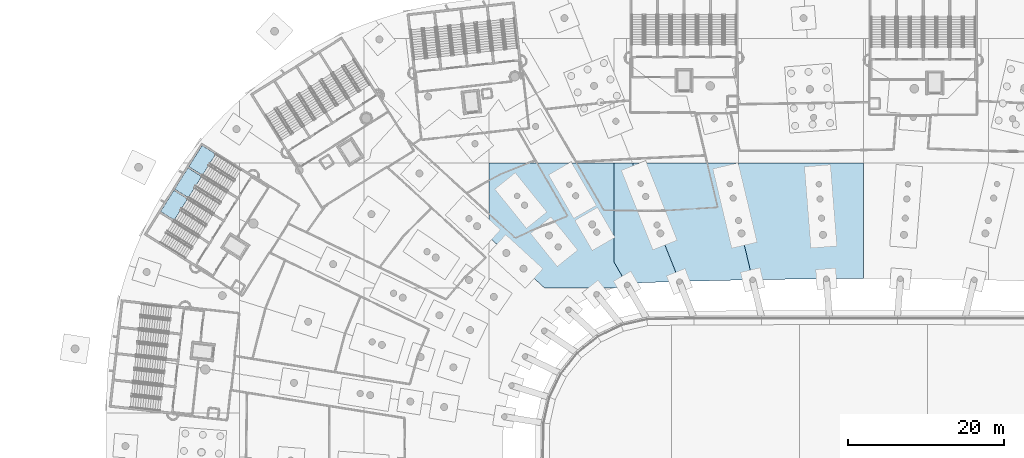
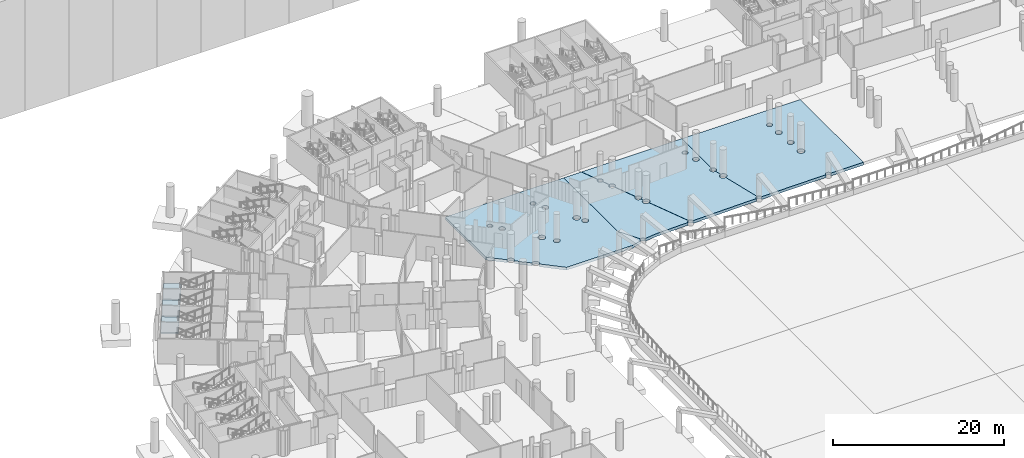
# One storey, part 28 of 142: 7 slabs, 3 elements without a shape of their own.
"""IFC4 building model written with IfcOpenShell, lengths in metres."""

from ifc_helpers import new_model, si_unit, direction, frame, origin, place, context, subcontext, project, spatial, polyline, outline, extrude, material, layer, layer_set, type_object, element, aggregate, save


model = new_model("IFC4")

# Units and contexts
model_context = context("Model", 3, precision=1e-05, world=origin(), true_north=direction((0.0, 1.0)))
body_context = subcontext(model_context, "Body", "Model", "MODEL_VIEW")
ifc_project = project(units=[si_unit("LENGTHUNIT", "METRE"), si_unit("AREAUNIT", "SQUARE_METRE"), si_unit("VOLUMEUNIT", "CUBIC_METRE"), si_unit("PLANEANGLEUNIT", "RADIAN"), si_unit("MASSUNIT", "GRAM", prefix="KILO")], contexts=[model_context])

# Site, building, storey
site_placement = place(None, origin())
site = spatial("IfcSite", under=ifc_project, at=site_placement, CompositionType="ELEMENT")
building_placement = place(site_placement, origin())
building = spatial("IfcBuilding", under=site, at=building_placement, Name="Meseta Stadium", CompositionType="ELEMENT")
storey_placement = place(building_placement, frame((0.0, 0.0, -4.0)))
storey = spatial("IfcBuildingStorey", under=building, at=storey_placement, Name="B1", CompositionType="ELEMENT", Elevation=-4.0)

# Slabs
ifc_material_1 = material(Name="Concrete C30/37", Category="concrete")
ifc_layer_1 = layer(ifc_material_1, 0.39990234375)
ifc_layer_set_1 = layer_set([ifc_layer_1], Name="Base slab 400")
slab_type_1 = type_object("IfcSlabType", Name="Base slab 400", PredefinedType="BASESLAB", material=ifc_layer_set_1)
slab_1_placement = place(storey_placement, frame((0.0, 0.0, -0.39990234375)))
element("IfcSlab", 1, at=slab_1_placement, inside=storey, type_object=slab_type_1, Name="Base slab B1 sector 14 panel 03", PredefinedType="BASESLAB", context=body_context, shape_type="SweptSolid", body=[
    extrude(outline(polyline([(-23.292236328125, 65.02880859375), (-23.259765625, 64.968017578125), (-23.23974609375, 64.902099609375), (-23.23388671875, 64.843017578125), (-22.0283203125, 64.876220703125), (-20.468994140625, 64.917236328125), (-18.90673828125, 64.956298828125), (-17.341796875, 64.992919921875), (-16.0, 65.022216796875), (-14.555419921875, 65.051513671875), (-14.55615234375, 65.05859375), (-14.54931640625, 65.127197265625), (-14.529296875, 65.193115234375), (-14.496826171875, 65.25390625), (-14.453125, 65.307373046875), (-14.39990234375, 65.35107421875), (-14.339111328125, 65.383544921875), (-14.28564453125, 65.399658203125), (-15.5166015625, 70.5703125), (-15.532958984375, 70.5654296875), (-15.62109375, 70.556640625), (-15.70947265625, 70.5654296875), (-15.794189453125, 70.591064453125), (-15.872314453125, 70.6328125), (-15.94091796875, 70.689208984375), (-15.9970703125, 70.757568359375), (-16.038818359375, 70.835693359375), (-16.064697265625, 70.920654296875), (-16.0732421875, 71.0087890625), (-16.064697265625, 71.09716796875), (-16.038818359375, 71.181884765625), (-15.9970703125, 71.260009765625), (-15.94091796875, 71.32861328125), (-15.872314453125, 71.384765625), (-15.794189453125, 71.426513671875), (-15.7255859375, 71.447509765625), (-15.918212890625, 72.256591796875), (-15.9326171875, 72.252197265625), (-16.010986328125, 72.244384765625), (-16.089599609375, 72.252197265625), (-16.164794921875, 72.275146484375), (-16.234375, 72.312255859375), (-16.29541015625, 72.3623046875), (-16.34521484375, 72.423095703125), (-16.38232421875, 72.49267578125), (-16.4052734375, 72.568115234375), (-16.4130859375, 72.646484375), (-16.4052734375, 72.724853515625), (-16.38232421875, 72.80029296875), (-16.34521484375, 72.869873046875), (-16.29541015625, 72.9306640625), (-16.234375, 72.980712890625), (-16.164794921875, 73.017822265625), (-16.089599609375, 73.040771484375), (-16.010986328125, 73.04833984375), (-16.0, 73.04736328125), (-16.0, 80.0), (-29.59228515625, 80.0), (-28.684814453125, 77.712646484375), (-28.63330078125, 77.72802734375), (-28.564697265625, 77.73486328125), (-28.49609375, 77.72802734375), (-28.43017578125, 77.7080078125), (-28.369384765625, 77.675537109375), (-28.316162109375, 77.6318359375), (-28.272216796875, 77.57861328125), (-28.23974609375, 77.517822265625), (-28.2197265625, 77.451904296875), (-28.213134765625, 77.38330078125), (-28.2197265625, 77.314697265625), (-28.23974609375, 77.24853515625), (-28.272216796875, 77.187744140625), (-28.316162109375, 77.134521484375), (-28.369384765625, 77.0908203125), (-28.426025390625, 77.060546875), (-28.04931640625, 76.111572265625), (-27.989501953125, 76.1298828125), (-27.910888671875, 76.1376953125), (-27.83251953125, 76.1298828125), (-27.757080078125, 76.10693359375), (-27.687744140625, 76.06982421875), (-27.626708984375, 76.019775390625), (-27.576904296875, 75.958984375), (-27.53955078125, 75.889404296875), (-27.5166015625, 75.81396484375), (-27.509033203125, 75.735595703125), (-27.5166015625, 75.6572265625), (-27.53955078125, 75.581787109375), (-27.576904296875, 75.51220703125), (-27.626708984375, 75.451416015625), (-27.687744140625, 75.4013671875), (-27.753662109375, 75.3662109375), (-26.60009765625, 72.45947265625), (-26.5400390625, 72.4775390625), (-26.461669921875, 72.4853515625), (-26.38330078125, 72.4775390625), (-26.307861328125, 72.45458984375), (-26.23828125, 72.41748046875), (-26.177490234375, 72.36767578125), (-26.12744140625, 72.306640625), (-26.09033203125, 72.2373046875), (-26.0673828125, 72.161865234375), (-26.059814453125, 72.08349609375), (-26.0673828125, 72.0048828125), (-26.09033203125, 71.9296875), (-26.12744140625, 71.860107421875), (-26.177490234375, 71.79931640625), (-26.23828125, 71.749267578125), (-26.30419921875, 71.7138671875), (-26.1943359375, 71.43701171875), (-26.125732421875, 71.4580078125), (-26.03759765625, 71.466552734375), (-25.94921875, 71.4580078125), (-25.864501953125, 71.43212890625), (-25.786376953125, 71.390380859375), (-25.7177734375, 71.334228515625), (-25.66162109375, 71.265625), (-25.61962890625, 71.1875), (-25.593994140625, 71.102783203125), (-25.585205078125, 71.014404296875), (-25.593994140625, 70.92626953125), (-25.61962890625, 70.84130859375), (-25.66162109375, 70.76318359375), (-25.7177734375, 70.694580078125), (-25.786376953125, 70.638427734375), (-25.861572265625, 70.59814453125), (-23.70458984375, 65.16259765625), (-23.6533203125, 65.17822265625), (-23.584716796875, 65.18505859375), (-23.51611328125, 65.17822265625), (-23.4501953125, 65.158203125), (-23.389404296875, 65.125732421875), (-23.3359375, 65.08203125), (-23.292236328125, 65.02880859375)]), holes=[polyline([(-17.419189453125, 77.527587890625), (-17.37548828125, 77.580810546875), (-17.322021484375, 77.62451171875), (-17.26123046875, 77.656982421875), (-17.1953125, 77.677001953125), (-17.126708984375, 77.683837890625), (-17.05810546875, 77.677001953125), (-16.9921875, 77.656982421875), (-16.931396484375, 77.62451171875), (-16.8779296875, 77.580810546875), (-16.834228515625, 77.527587890625), (-16.8017578125, 77.466796875), (-16.78173828125, 77.400634765625), (-16.77490234375, 77.33203125), (-16.78173828125, 77.263427734375), (-16.8017578125, 77.197509765625), (-16.834228515625, 77.13671875), (-16.8779296875, 77.08349609375), (-16.931396484375, 77.039794921875), (-16.9921875, 77.007080078125), (-17.05810546875, 76.9873046875), (-17.126708984375, 76.98046875), (-17.1953125, 76.9873046875), (-17.26123046875, 77.007080078125), (-17.322021484375, 77.039794921875), (-17.37548828125, 77.08349609375), (-17.419189453125, 77.13671875), (-17.45166015625, 77.197509765625), (-17.4716796875, 77.263427734375), (-17.478515625, 77.33203125), (-17.4716796875, 77.400634765625), (-17.45166015625, 77.466796875), (-17.419189453125, 77.527587890625)]), polyline([(-17.03173828125, 75.752685546875), (-16.981689453125, 75.813720703125), (-16.9208984375, 75.863525390625), (-16.851318359375, 75.90087890625), (-16.77587890625, 75.923583984375), (-16.697509765625, 75.931396484375), (-16.619140625, 75.923583984375), (-16.543701171875, 75.90087890625), (-16.47412109375, 75.863525390625), (-16.413330078125, 75.813720703125), (-16.36328125, 75.752685546875), (-16.326171875, 75.683349609375), (-16.30322265625, 75.60791015625), (-16.295654296875, 75.529296875), (-16.30322265625, 75.450927734375), (-16.326171875, 75.37548828125), (-16.36328125, 75.30615234375), (-16.413330078125, 75.2451171875), (-16.47412109375, 75.1953125), (-16.543701171875, 75.158203125), (-16.619140625, 75.13525390625), (-16.697509765625, 75.12744140625), (-16.77587890625, 75.13525390625), (-16.851318359375, 75.158203125), (-16.9208984375, 75.1953125), (-16.981689453125, 75.2451171875), (-17.03173828125, 75.30615234375), (-17.06884765625, 75.37548828125), (-17.091796875, 75.450927734375), (-17.099365234375, 75.529296875), (-17.091796875, 75.60791015625), (-17.06884765625, 75.683349609375), (-17.03173828125, 75.752685546875)])]), origin(), (0.0, 0.0, 1.0), 0.39990234375),
])
slab_2_placement = place(storey_placement, frame((0.0, 0.0, -0.39990234375)))
element("IfcSlab", 2, at=slab_2_placement, inside=storey, type_object=slab_type_1, Name="Base slab B1 sector 14 panel 06", PredefinedType="BASESLAB", context=body_context, shape_type="SweptSolid", body=[
    extrude(outline(polyline([(-4.993408203125, 65.432373046875), (-4.940185546875, 65.47607421875), (-4.87939453125, 65.508544921875), (-4.8134765625, 65.528564453125), (-4.7724609375, 65.53271484375), (-4.74462890625, 65.535400390625), (-4.676025390625, 65.528564453125), (-4.610107421875, 65.508544921875), (-4.54931640625, 65.47607421875), (-4.49609375, 65.432373046875), (-4.452392578125, 65.379150390625), (-4.419921875, 65.318359375), (-4.39990234375, 65.252197265625), (-4.393310546875, 65.185791015625), (-3.16357421875, 65.192626953125), (-1.58203125, 65.1982421875), (0.0, 65.199951171875), (0.0, 80.0), (-16.0, 80.0), (-16.0, 73.04736328125), (-15.9326171875, 73.040771484375), (-15.857421875, 73.017822265625), (-15.787841796875, 72.980712890625), (-15.726806640625, 72.9306640625), (-15.677001953125, 72.869873046875), (-15.6396484375, 72.80029296875), (-15.616943359375, 72.724853515625), (-15.609130859375, 72.646484375), (-15.616943359375, 72.568115234375), (-15.6396484375, 72.49267578125), (-15.677001953125, 72.423095703125), (-15.726806640625, 72.3623046875), (-15.787841796875, 72.312255859375), (-15.857421875, 72.275146484375), (-15.918212890625, 72.256591796875), (-15.7255859375, 71.447509765625), (-15.70947265625, 71.452392578125), (-15.62109375, 71.4609375), (-15.532958984375, 71.452392578125), (-15.447998046875, 71.426513671875), (-15.369873046875, 71.384765625), (-15.301513671875, 71.32861328125), (-15.2451171875, 71.260009765625), (-15.203369140625, 71.181884765625), (-15.177734375, 71.09716796875), (-15.1689453125, 71.0087890625), (-15.177734375, 70.920654296875), (-15.203369140625, 70.835693359375), (-15.2451171875, 70.757568359375), (-15.301513671875, 70.689208984375), (-15.369873046875, 70.6328125), (-15.447998046875, 70.591064453125), (-15.5166015625, 70.5703125), (-14.28564453125, 65.399658203125), (-14.27294921875, 65.403564453125), (-14.204345703125, 65.410400390625), (-14.1357421875, 65.403564453125), (-14.06982421875, 65.383544921875), (-14.009033203125, 65.35107421875), (-13.955810546875, 65.307373046875), (-13.912109375, 65.25390625), (-13.87939453125, 65.193115234375), (-13.859619140625, 65.127197265625), (-13.853515625, 65.06494140625), (-12.632080078125, 65.08740234375), (-11.05810546875, 65.113037109375), (-9.48193359375, 65.1357421875), (-7.904052734375, 65.155029296875), (-6.324951171875, 65.171142578125), (-5.09619140625, 65.180908203125), (-5.089599609375, 65.252197265625), (-5.069580078125, 65.318359375), (-5.037109375, 65.379150390625), (-4.993408203125, 65.432373046875)]), holes=[polyline([(-5.84130859375, 77.628662109375), (-5.775390625, 77.648681640625), (-5.70654296875, 77.655517578125), (-5.637939453125, 77.648681640625), (-5.572021484375, 77.628662109375), (-5.51123046875, 77.59619140625), (-5.4580078125, 77.552490234375), (-5.414306640625, 77.4990234375), (-5.381591796875, 77.438232421875), (-5.36181640625, 77.372314453125), (-5.35498046875, 77.3037109375), (-5.36181640625, 77.235107421875), (-5.381591796875, 77.169189453125), (-5.414306640625, 77.1083984375), (-5.4580078125, 77.054931640625), (-5.51123046875, 77.01123046875), (-5.572021484375, 76.978759765625), (-5.637939453125, 76.958740234375), (-5.70654296875, 76.951904296875), (-5.775390625, 76.958740234375), (-5.84130859375, 76.978759765625), (-5.902099609375, 77.01123046875), (-5.955322265625, 77.054931640625), (-5.9990234375, 77.1083984375), (-6.031494140625, 77.169189453125), (-6.051513671875, 77.235107421875), (-6.058349609375, 77.3037109375), (-6.051513671875, 77.372314453125), (-6.031494140625, 77.438232421875), (-5.9990234375, 77.4990234375), (-5.955322265625, 77.552490234375), (-5.902099609375, 77.59619140625), (-5.84130859375, 77.628662109375)]), polyline([(-5.710693359375, 75.786376953125), (-5.63525390625, 75.80908203125), (-5.556640625, 75.81689453125), (-5.478271484375, 75.80908203125), (-5.40283203125, 75.786376953125), (-5.33349609375, 75.7490234375), (-5.2724609375, 75.69921875), (-5.222412109375, 75.63818359375), (-5.185302734375, 75.568603515625), (-5.16259765625, 75.493408203125), (-5.15478515625, 75.414794921875), (-5.16259765625, 75.33642578125), (-5.185302734375, 75.260986328125), (-5.222412109375, 75.191650390625), (-5.2724609375, 75.130615234375), (-5.33349609375, 75.080810546875), (-5.40283203125, 75.043701171875), (-5.478271484375, 75.020751953125), (-5.556640625, 75.012939453125), (-5.63525390625, 75.020751953125), (-5.710693359375, 75.043701171875), (-5.780029296875, 75.080810546875), (-5.841064453125, 75.130615234375), (-5.890869140625, 75.191650390625), (-5.927978515625, 75.260986328125), (-5.950927734375, 75.33642578125), (-5.958740234375, 75.414794921875), (-5.950927734375, 75.493408203125), (-5.927978515625, 75.568603515625), (-5.890869140625, 75.63818359375), (-5.841064453125, 75.69921875), (-5.780029296875, 75.7490234375), (-5.710693359375, 75.786376953125)]), polyline([(-5.515625, 73.33056640625), (-5.440185546875, 73.353515625), (-5.36181640625, 73.361083984375), (-5.283447265625, 73.353515625), (-5.2080078125, 73.33056640625), (-5.138427734375, 73.29345703125), (-5.07763671875, 73.243408203125), (-5.027587890625, 73.1826171875), (-4.990478515625, 73.113037109375), (-4.967529296875, 73.03759765625), (-4.9599609375, 72.959228515625), (-4.967529296875, 72.880859375), (-4.990478515625, 72.805419921875), (-5.027587890625, 72.73583984375), (-5.07763671875, 72.675048828125), (-5.138427734375, 72.625), (-5.2080078125, 72.587890625), (-5.283447265625, 72.56494140625), (-5.36181640625, 72.557373046875), (-5.440185546875, 72.56494140625), (-5.515625, 72.587890625), (-5.585205078125, 72.625), (-5.64599609375, 72.675048828125), (-5.696044921875, 72.73583984375), (-5.733154296875, 72.805419921875), (-5.756103515625, 72.880859375), (-5.763916015625, 72.959228515625), (-5.756103515625, 73.03759765625), (-5.733154296875, 73.113037109375), (-5.696044921875, 73.1826171875), (-5.64599609375, 73.243408203125), (-5.585205078125, 73.29345703125), (-5.515625, 73.33056640625)]), polyline([(-5.365478515625, 71.24169921875), (-5.280517578125, 71.267578125), (-5.1923828125, 71.2763671875), (-5.104248046875, 71.267578125), (-5.019287109375, 71.24169921875), (-4.941162109375, 71.199951171875), (-4.87255859375, 71.143798828125), (-4.81640625, 71.0751953125), (-4.774658203125, 70.9970703125), (-4.748779296875, 70.912353515625), (-4.740234375, 70.82421875), (-4.748779296875, 70.73583984375), (-4.774658203125, 70.65087890625), (-4.81640625, 70.572998046875), (-4.87255859375, 70.50439453125), (-4.941162109375, 70.447998046875), (-5.019287109375, 70.40625), (-5.104248046875, 70.380615234375), (-5.1923828125, 70.371826171875), (-5.280517578125, 70.380615234375), (-5.365478515625, 70.40625), (-5.443603515625, 70.447998046875), (-5.51220703125, 70.50439453125), (-5.568359375, 70.572998046875), (-5.610107421875, 70.65087890625), (-5.635986328125, 70.73583984375), (-5.64453125, 70.82421875), (-5.635986328125, 70.912353515625), (-5.610107421875, 70.9970703125), (-5.568359375, 71.0751953125), (-5.51220703125, 71.143798828125), (-5.443603515625, 71.199951171875), (-5.365478515625, 71.24169921875)])]), origin(), (0.0, 0.0, 1.0), 0.39990234375),
])
slab_3_placement = place(storey_placement, frame((0.0, 0.0, -0.39990234375)))
element("IfcSlab", 3, at=slab_3_placement, inside=storey, type_object=slab_type_1, Name="Base slab B1 sector 21 panel 15", PredefinedType="BASESLAB", context=body_context, shape_type="SweptSolid", body=[
    extrude(outline(polyline([(-40.861572265625, 64.0), (-32.0, 64.0), (-32.0, 63.990234375), (-31.62255859375, 64.098388671875), (-30.955078125, 64.264892578125), (-30.62548828125, 64.334716796875), (-30.626708984375, 64.339111328125), (-30.63330078125, 64.40771484375), (-30.626708984375, 64.476318359375), (-30.606689453125, 64.542236328125), (-30.57421875, 64.60302734375), (-30.530517578125, 64.656494140625), (-30.47705078125, 64.7001953125), (-30.45703125, 64.7109375), (-32.0, 67.38037109375), (-32.0, 80.0), (-48.0, 80.0), (-48.0, 70.53466796875), (-46.109619140625, 68.80419921875), (-46.096923828125, 68.819580078125), (-46.0283203125, 68.875732421875), (-45.9501953125, 68.91748046875), (-45.865234375, 68.943359375), (-45.777099609375, 68.951904296875), (-45.68896484375, 68.943359375), (-45.60400390625, 68.91748046875), (-45.52587890625, 68.875732421875), (-45.45751953125, 68.819580078125), (-45.401123046875, 68.7509765625), (-45.359375, 68.6728515625), (-45.33349609375, 68.587890625), (-45.324951171875, 68.499755859375), (-45.33349609375, 68.41162109375), (-45.359375, 68.326904296875), (-45.401123046875, 68.24853515625), (-45.444580078125, 68.195556640625), (-43.90185546875, 66.783203125), (-43.88916015625, 66.798583984375), (-43.820556640625, 66.854736328125), (-43.742431640625, 66.896484375), (-43.65771484375, 66.92236328125), (-43.5693359375, 66.930908203125), (-43.481201171875, 66.92236328125), (-43.396484375, 66.896484375), (-43.318115234375, 66.854736328125), (-43.249755859375, 66.798583984375), (-43.193359375, 66.72998046875), (-43.151611328125, 66.65185546875), (-43.1259765625, 66.56689453125), (-43.1171875, 66.478759765625), (-43.1259765625, 66.390625), (-43.151611328125, 66.305908203125), (-43.193359375, 66.2275390625), (-43.237060546875, 66.174560546875), (-40.861572265625, 64.0)]), holes=[polyline([(-38.0634765625, 77.26171875), (-38.056640625, 77.330322265625), (-38.03662109375, 77.396240234375), (-38.004150390625, 77.45703125), (-37.96044921875, 77.510498046875), (-37.906982421875, 77.55419921875), (-37.84619140625, 77.586669921875), (-37.7802734375, 77.606689453125), (-37.711669921875, 77.61328125), (-37.64306640625, 77.606689453125), (-37.5771484375, 77.586669921875), (-37.516357421875, 77.55419921875), (-37.462890625, 77.510498046875), (-37.419189453125, 77.45703125), (-37.38671875, 77.396240234375), (-37.36669921875, 77.330322265625), (-37.360107421875, 77.26171875), (-37.36669921875, 77.193115234375), (-37.38671875, 77.127197265625), (-37.419189453125, 77.06640625), (-37.462890625, 77.012939453125), (-37.516357421875, 76.96923828125), (-37.5771484375, 76.936767578125), (-37.64306640625, 76.916748046875), (-37.711669921875, 76.909912109375), (-37.7802734375, 76.916748046875), (-37.84619140625, 76.936767578125), (-37.906982421875, 76.96923828125), (-37.96044921875, 77.012939453125), (-38.004150390625, 77.06640625), (-38.03662109375, 77.127197265625), (-38.056640625, 77.193115234375), (-38.0634765625, 77.26171875)]), polyline([(-37.287841796875, 75.8330078125), (-37.280029296875, 75.911376953125), (-37.257080078125, 75.98681640625), (-37.22021484375, 76.05615234375), (-37.170166015625, 76.1171875), (-37.109130859375, 76.1669921875), (-37.039794921875, 76.204345703125), (-36.96435546875, 76.227294921875), (-36.885986328125, 76.23486328125), (-36.807373046875, 76.227294921875), (-36.73193359375, 76.204345703125), (-36.66259765625, 76.1669921875), (-36.601806640625, 76.1171875), (-36.5517578125, 76.05615234375), (-36.514404296875, 75.98681640625), (-36.49169921875, 75.911376953125), (-36.48388671875, 75.8330078125), (-36.49169921875, 75.75439453125), (-36.514404296875, 75.67919921875), (-36.5517578125, 75.609619140625), (-36.601806640625, 75.548583984375), (-36.66259765625, 75.498779296875), (-36.73193359375, 75.461669921875), (-36.807373046875, 75.438720703125), (-36.885986328125, 75.430908203125), (-36.96435546875, 75.438720703125), (-37.039794921875, 75.461669921875), (-37.109130859375, 75.498779296875), (-37.170166015625, 75.548583984375), (-37.22021484375, 75.609619140625), (-37.257080078125, 75.67919921875), (-37.280029296875, 75.75439453125), (-37.287841796875, 75.8330078125)]), polyline([(-35.212890625, 72.15625), (-35.2041015625, 72.24462890625), (-35.178466796875, 72.329345703125), (-35.13671875, 72.40771484375), (-35.080322265625, 72.47607421875), (-35.011962890625, 72.5322265625), (-34.93359375, 72.57421875), (-34.848876953125, 72.599853515625), (-34.7607421875, 72.6083984375), (-34.672607421875, 72.599853515625), (-34.587646484375, 72.57421875), (-34.509521484375, 72.5322265625), (-34.44091796875, 72.47607421875), (-34.384765625, 72.40771484375), (-34.343017578125, 72.329345703125), (-34.317138671875, 72.24462890625), (-34.30859375, 72.15625), (-34.317138671875, 72.068115234375), (-34.343017578125, 71.9833984375), (-34.384765625, 71.905029296875), (-34.44091796875, 71.836669921875), (-34.509521484375, 71.780517578125), (-34.587646484375, 71.738525390625), (-34.672607421875, 71.712890625), (-34.7607421875, 71.7041015625), (-34.848876953125, 71.712890625), (-34.93359375, 71.738525390625), (-35.011962890625, 71.780517578125), (-35.080322265625, 71.836669921875), (-35.13671875, 71.905029296875), (-35.178466796875, 71.9833984375), (-35.2041015625, 72.068115234375), (-35.212890625, 72.15625)]), polyline([(-34.587158203125, 71.16064453125), (-34.579345703125, 71.239013671875), (-34.556396484375, 71.314453125), (-34.519287109375, 71.384033203125), (-34.469482421875, 71.44482421875), (-34.408447265625, 71.494873046875), (-34.339111328125, 71.531982421875), (-34.263671875, 71.554931640625), (-34.185302734375, 71.5625), (-34.106689453125, 71.554931640625), (-34.031494140625, 71.531982421875), (-33.9619140625, 71.494873046875), (-33.90087890625, 71.44482421875), (-33.85107421875, 71.384033203125), (-33.813720703125, 71.314453125), (-33.791015625, 71.239013671875), (-33.783203125, 71.16064453125), (-33.791015625, 71.082275390625), (-33.813720703125, 71.0068359375), (-33.85107421875, 70.9375), (-33.90087890625, 70.87646484375), (-33.9619140625, 70.826416015625), (-34.031494140625, 70.789306640625), (-34.106689453125, 70.7666015625), (-34.185302734375, 70.7587890625), (-34.263671875, 70.7666015625), (-34.339111328125, 70.789306640625), (-34.408447265625, 70.826416015625), (-34.469482421875, 70.87646484375), (-34.519287109375, 70.9375), (-34.556396484375, 71.0068359375), (-34.579345703125, 71.082275390625), (-34.587158203125, 71.16064453125)]), polyline([(-44.6826171875, 75.611083984375), (-44.715087890625, 75.671875), (-44.735107421875, 75.73779296875), (-44.74169921875, 75.806396484375), (-44.735107421875, 75.875), (-44.715087890625, 75.94091796875), (-44.6826171875, 76.001708984375), (-44.638671875, 76.05517578125), (-44.58544921875, 76.098876953125), (-44.524658203125, 76.13134765625), (-44.458740234375, 76.1513671875), (-44.389892578125, 76.158203125), (-44.3212890625, 76.1513671875), (-44.255615234375, 76.13134765625), (-44.194580078125, 76.098876953125), (-44.141357421875, 76.05517578125), (-44.09765625, 76.001708984375), (-44.065185546875, 75.94091796875), (-44.045166015625, 75.875), (-44.038330078125, 75.806396484375), (-44.045166015625, 75.73779296875), (-44.065185546875, 75.671875), (-44.09765625, 75.611083984375), (-44.141357421875, 75.5576171875), (-44.194580078125, 75.513916015625), (-44.255615234375, 75.4814453125), (-44.3212890625, 75.46142578125), (-44.389892578125, 75.45458984375), (-44.458740234375, 75.46142578125), (-44.524658203125, 75.4814453125), (-44.58544921875, 75.513916015625), (-44.638671875, 75.5576171875), (-44.6826171875, 75.611083984375)]), polyline([(-43.7646484375, 74.39404296875), (-43.8017578125, 74.463623046875), (-43.82470703125, 74.5390625), (-43.83251953125, 74.617431640625), (-43.82470703125, 74.69580078125), (-43.8017578125, 74.771240234375), (-43.7646484375, 74.8408203125), (-43.714599609375, 74.901611328125), (-43.65380859375, 74.95166015625), (-43.584228515625, 74.98876953125), (-43.5087890625, 75.01171875), (-43.430419921875, 75.019287109375), (-43.35205078125, 75.01171875), (-43.276611328125, 74.98876953125), (-43.207275390625, 74.95166015625), (-43.146240234375, 74.901611328125), (-43.09619140625, 74.8408203125), (-43.05908203125, 74.771240234375), (-43.036376953125, 74.69580078125), (-43.028564453125, 74.617431640625), (-43.036376953125, 74.5390625), (-43.05908203125, 74.463623046875), (-43.09619140625, 74.39404296875), (-43.146240234375, 74.333251953125), (-43.207275390625, 74.283203125), (-43.276611328125, 74.24609375), (-43.35205078125, 74.22314453125), (-43.430419921875, 74.215576171875), (-43.5087890625, 74.22314453125), (-43.584228515625, 74.24609375), (-43.65380859375, 74.283203125), (-43.714599609375, 74.333251953125), (-43.7646484375, 74.39404296875)]), polyline([(-40.683837890625, 70.4970703125), (-40.7255859375, 70.5751953125), (-40.751220703125, 70.659912109375), (-40.760009765625, 70.748291015625), (-40.751220703125, 70.83642578125), (-40.7255859375, 70.921142578125), (-40.683837890625, 70.99951171875), (-40.627685546875, 71.06787109375), (-40.55908203125, 71.124267578125), (-40.48095703125, 71.166015625), (-40.39599609375, 71.191650390625), (-40.307861328125, 71.200439453125), (-40.219482421875, 71.191650390625), (-40.134765625, 71.166015625), (-40.056640625, 71.124267578125), (-39.988037109375, 71.06787109375), (-39.931884765625, 70.99951171875), (-39.89013671875, 70.921142578125), (-39.8642578125, 70.83642578125), (-39.855712890625, 70.748291015625), (-39.8642578125, 70.659912109375), (-39.89013671875, 70.5751953125), (-39.931884765625, 70.4970703125), (-39.988037109375, 70.428466796875), (-40.056640625, 70.372314453125), (-40.134765625, 70.330322265625), (-40.219482421875, 70.3046875), (-40.307861328125, 70.2958984375), (-40.39599609375, 70.3046875), (-40.48095703125, 70.330322265625), (-40.55908203125, 70.372314453125), (-40.627685546875, 70.428466796875), (-40.683837890625, 70.4970703125)]), polyline([(-39.452880859375, 69.051513671875), (-39.489990234375, 69.120849609375), (-39.5126953125, 69.1962890625), (-39.5205078125, 69.274658203125), (-39.5126953125, 69.35302734375), (-39.489990234375, 69.428466796875), (-39.452880859375, 69.498046875), (-39.40283203125, 69.558837890625), (-39.341796875, 69.60888671875), (-39.2724609375, 69.64599609375), (-39.197021484375, 69.6689453125), (-39.11865234375, 69.676513671875), (-39.040283203125, 69.6689453125), (-38.96484375, 69.64599609375), (-38.895263671875, 69.60888671875), (-38.83447265625, 69.558837890625), (-38.784423828125, 69.498046875), (-38.747314453125, 69.428466796875), (-38.724365234375, 69.35302734375), (-38.716796875, 69.274658203125), (-38.724365234375, 69.1962890625), (-38.747314453125, 69.120849609375), (-38.784423828125, 69.051513671875), (-38.83447265625, 68.990478515625), (-38.895263671875, 68.9404296875), (-38.96484375, 68.9033203125), (-39.040283203125, 68.880615234375), (-39.11865234375, 68.872802734375), (-39.197021484375, 68.880615234375), (-39.2724609375, 68.9033203125), (-39.341796875, 68.9404296875), (-39.40283203125, 68.990478515625), (-39.452880859375, 69.051513671875)])]), origin(), (0.0, 0.0, 1.0), 0.39990234375),
])
slab_4_placement = place(storey_placement, frame((0.0, 0.0, -0.39990234375)))
element("IfcSlab", 4, at=slab_4_placement, inside=storey, type_object=slab_type_1, Name="Base slab B1 sector 21 panel 16", PredefinedType="BASESLAB", context=body_context, shape_type="SweptSolid", body=[
    extrude(outline(polyline([(-28.76025390625, 77.675537109375), (-28.70361328125, 77.705810546875), (-29.614013671875, 80.0), (-32.0, 80.0), (-32.0, 67.38037109375), (-30.45703125, 64.7109375), (-30.416259765625, 64.732666015625), (-30.350341796875, 64.752685546875), (-30.28173828125, 64.759521484375), (-30.213134765625, 64.752685546875), (-30.147216796875, 64.732666015625), (-30.08642578125, 64.7001953125), (-30.033203125, 64.656494140625), (-29.9892578125, 64.60302734375), (-29.956787109375, 64.542236328125), (-29.936767578125, 64.476318359375), (-29.93603515625, 64.468505859375), (-29.603515625, 64.527099609375), (-28.92138671875, 64.622802734375), (-28.235595703125, 64.69482421875), (-26.6884765625, 64.742431640625), (-23.935302734375, 64.8232421875), (-23.936279296875, 64.83349609375), (-23.9296875, 64.902099609375), (-23.90966796875, 64.968017578125), (-23.877197265625, 65.02880859375), (-23.833251953125, 65.08203125), (-23.780029296875, 65.125732421875), (-23.723388671875, 65.156005859375), (-25.880615234375, 70.591796875), (-25.94921875, 70.571044921875), (-26.03759765625, 70.562255859375), (-26.125732421875, 70.571044921875), (-26.21044921875, 70.5966796875), (-26.288818359375, 70.638427734375), (-26.357177734375, 70.694580078125), (-26.41357421875, 70.76318359375), (-26.455078125, 70.84130859375), (-26.48095703125, 70.92626953125), (-26.48974609375, 71.014404296875), (-26.48095703125, 71.102783203125), (-26.455078125, 71.1875), (-26.41357421875, 71.265625), (-26.357177734375, 71.334228515625), (-26.288818359375, 71.390380859375), (-26.21337890625, 71.4306640625), (-26.3232421875, 71.70751953125), (-26.38330078125, 71.689208984375), (-26.461669921875, 71.681396484375), (-26.5400390625, 71.689208984375), (-26.615478515625, 71.7119140625), (-26.68505859375, 71.749267578125), (-26.745849609375, 71.79931640625), (-26.7958984375, 71.860107421875), (-26.8330078125, 71.9296875), (-26.85595703125, 72.0048828125), (-26.863525390625, 72.08349609375), (-26.85595703125, 72.161865234375), (-26.8330078125, 72.2373046875), (-26.7958984375, 72.306640625), (-26.745849609375, 72.36767578125), (-26.68505859375, 72.41748046875), (-26.618896484375, 72.452880859375), (-27.7724609375, 75.359619140625), (-27.83251953125, 75.34130859375), (-27.910888671875, 75.333740234375), (-27.989501953125, 75.34130859375), (-28.064697265625, 75.3642578125), (-28.13427734375, 75.4013671875), (-28.1953125, 75.451416015625), (-28.2451171875, 75.51220703125), (-28.2822265625, 75.581787109375), (-28.30517578125, 75.6572265625), (-28.31298828125, 75.735595703125), (-28.30517578125, 75.81396484375), (-28.2822265625, 75.889404296875), (-28.2451171875, 75.958984375), (-28.1953125, 76.019775390625), (-28.13427734375, 76.06982421875), (-28.068359375, 76.10498046875), (-28.44482421875, 77.0537109375), (-28.49609375, 77.038330078125), (-28.564697265625, 77.031494140625), (-28.63330078125, 77.038330078125), (-28.69921875, 77.058349609375), (-28.76025390625, 77.0908203125), (-28.8134765625, 77.134521484375), (-28.857177734375, 77.187744140625), (-28.8896484375, 77.24853515625), (-28.90966796875, 77.314697265625), (-28.91650390625, 77.38330078125), (-28.90966796875, 77.451904296875), (-28.8896484375, 77.517822265625), (-28.857177734375, 77.57861328125), (-28.8134765625, 77.6318359375), (-28.76025390625, 77.675537109375)])), origin(), (0.0, 0.0, 1.0), 0.39990234375),
])

# Stair, slab
ifc_material_2 = material(Name="Concrete C40/50", Category="concrete")
stair_type = type_object("IfcStairType", Name="Exit stair 2 flights 154 mm risers", PredefinedType="HALF_TURN_STAIR", material=ifc_material_2)
stair_1_placement = place(storey_placement, origin())
stair_1 = element("IfcStair", 5, at=stair_1_placement, inside=storey, type_object=stair_type, Name="ST53 B1", PredefinedType="HALF_TURN_STAIR")
ifc_material_3 = material(Name="Concrete C40/50", Category="concrete")
ifc_layer_2 = layer(ifc_material_3, 0.199951171875)
ifc_layer_set_2 = layer_set([ifc_layer_2], Name="Stair landing 200")
slab_type_2 = type_object("IfcSlabType", Name="Stair landing 200", PredefinedType="LANDING", material=ifc_layer_set_2)
slab_5_placement = place(storey_placement, frame((0.0, 0.0, 1.800048828125)))
slab_5 = element("IfcSlab", 6, at=slab_5_placement, type_object=slab_type_2, Name="ST53 B1 landing 1", PredefinedType="LANDING", context=body_context, shape_type="SweptSolid", body=[
    extrude(outline(polyline([(-83.018798828125, 81.17333984375), (-84.771484375, 82.274658203125), (-86.47412109375, 79.565185546875), (-84.721435546875, 78.4638671875), (-83.018798828125, 81.17333984375)])), origin(), (0.0, 0.0, 1.0), 0.199951171875),
])
aggregate(stair_1, [slab_5])

stair_2_placement = place(storey_placement, origin())
stair_2 = element("IfcStair", 7, at=stair_2_placement, inside=storey, type_object=stair_type, Name="ST54 B1", PredefinedType="HALF_TURN_STAIR")
slab_6_placement = place(storey_placement, frame((0.0, 0.0, 1.800048828125)))
slab_6 = element("IfcSlab", 8, at=slab_6_placement, type_object=slab_type_2, Name="ST54 B1 landing 1", PredefinedType="LANDING", context=body_context, shape_type="SweptSolid", body=[
    extrude(outline(polyline([(-84.827880859375, 78.29443359375), (-86.58056640625, 79.395751953125), (-88.282958984375, 76.686279296875), (-86.5302734375, 75.5849609375), (-84.827880859375, 78.29443359375)])), origin(), (0.0, 0.0, 1.0), 0.199951171875),
])
aggregate(stair_2, [slab_6])

stair_3_placement = place(storey_placement, origin())
stair_3 = element("IfcStair", 9, at=stair_3_placement, inside=storey, type_object=stair_type, Name="ST55 B1", PredefinedType="HALF_TURN_STAIR")
slab_7_placement = place(storey_placement, frame((0.0, 0.0, 1.800048828125)))
slab_7 = element("IfcSlab", 10, at=slab_7_placement, type_object=slab_type_2, Name="ST55 B1 landing 1", PredefinedType="LANDING", context=body_context, shape_type="SweptSolid", body=[
    extrude(outline(polyline([(-86.63671875, 75.41552734375), (-88.389404296875, 76.516845703125), (-90.091796875, 73.807373046875), (-88.339111328125, 72.7060546875), (-86.63671875, 75.41552734375)])), origin(), (0.0, 0.0, 1.0), 0.199951171875),
])
aggregate(stair_3, [slab_7])

save(model, "model.ifc")
